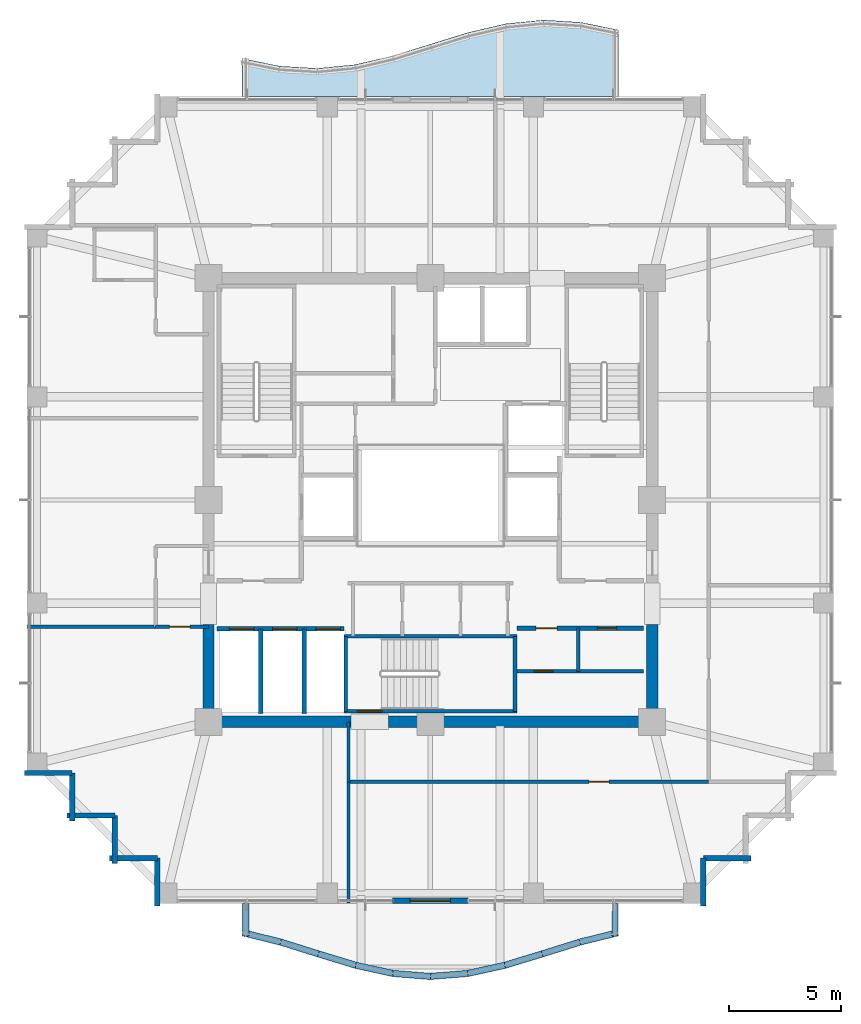
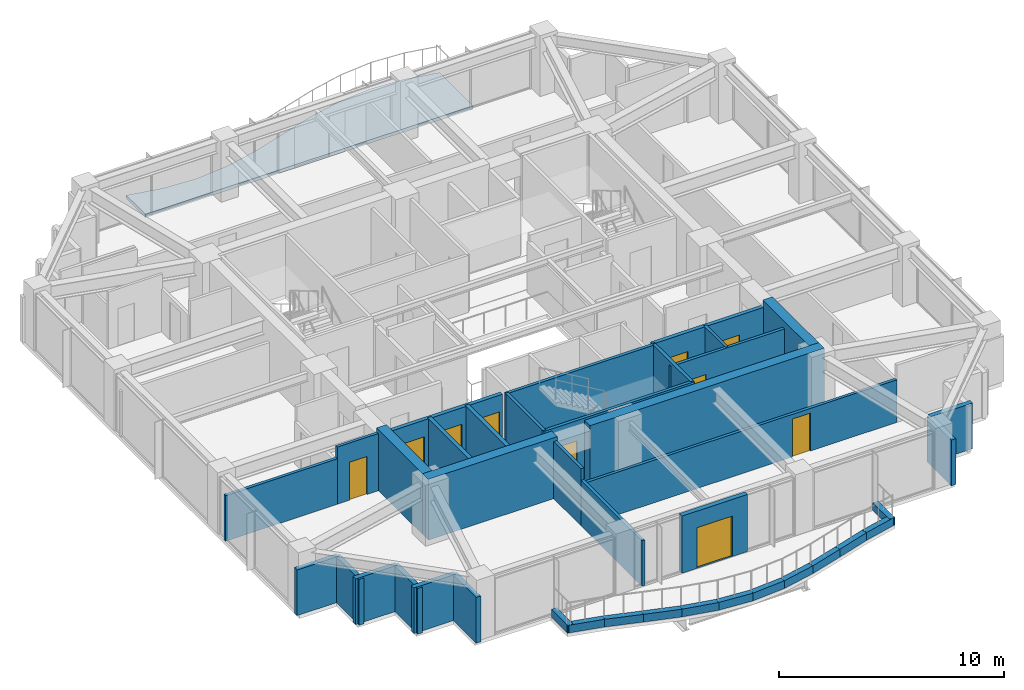
# One storey, part 26 of 31: 40 walls, 10 doors, 1 slab, 10 openings.
"""IFC4 building model written with IfcOpenShell, lengths in metres."""

from ifc_helpers import new_model, si_unit, direction, frame, frame_2d, origin, place, context, subcontext, project, spatial, polyline, rectangle, outline, extrude, material, layer, layer_set, type_object, element, fill, save


model = new_model("IFC4")

# Units and contexts
model_context = context("Model", 3, precision=1e-05, world=origin(), true_north=direction((0.0, 1.0)))
body_context = subcontext(model_context, "Body", "Model", "MODEL_VIEW")
ifc_project = project(units=[si_unit("LENGTHUNIT", "METRE"), si_unit("AREAUNIT", "SQUARE_METRE"), si_unit("VOLUMEUNIT", "CUBIC_METRE"), si_unit("PLANEANGLEUNIT", "RADIAN"), si_unit("MASSUNIT", "GRAM", prefix="KILO")], contexts=[model_context])

# Site, building, storey
site_placement = place(None, origin())
site = spatial("IfcSite", under=ifc_project, at=site_placement, CompositionType="ELEMENT")
building_placement = place(site_placement, origin())
building = spatial("IfcBuilding", under=site, at=building_placement, Name="Kolvaren Belvedere", CompositionType="ELEMENT")
storey_placement = place(building_placement, frame((0.0, 0.0, 131.60009765625)))
storey = spatial("IfcBuildingStorey", under=building, at=storey_placement, Name="L38", CompositionType="ELEMENT", Elevation=131.60009765625)

# Slab
ifc_material_1 = material(Name="Concrete C50/60", Category="concrete")
ifc_layer_1 = layer(ifc_material_1, 0.179931640625)
ifc_layer_set_1 = layer_set([ifc_layer_1], Name="Concrete C50/60")
slab_type = type_object("IfcSlabType", Name="SL-BAL-180", PredefinedType="FLOOR", material=ifc_layer_set_1)
slab_placement = place(storey_placement, frame((0.0, 0.0, -0.2001953125)))
element("IfcSlab", 1, at=slab_placement, inside=storey, type_object=slab_type, Name="L38 Planted Balcony BAL-N", PredefinedType="FLOOR", context=body_context, shape_type="SweptSolid", body=[
    extrude(outline(polyline([(-8.39990234375, 18.0), (-6.719970703125, 18.0), (-5.0400390625, 18.0), (-3.360107421875, 18.0), (-1.679931640625, 18.0), (0.0, 18.0), (1.679931640625, 18.0), (3.360107421875, 18.0), (5.0400390625, 18.0), (6.719970703125, 18.0), (8.39990234375, 18.0), (8.39990234375, 20.974853515625), (6.719970703125, 21.317138671875), (5.0400390625, 21.419921875), (3.360107421875, 21.251953125), (1.679931640625, 20.8603515625), (0.0, 20.340087890625), (-1.679931640625, 19.819580078125), (-3.360107421875, 19.427978515625), (-5.0400390625, 19.26220703125), (-6.719970703125, 19.36279296875), (-8.39990234375, 19.705078125), (-8.39990234375, 18.0)])), origin(), (0.0, 0.0, 1.0), 0.18017578125),
])

# Walls
ifc_material_2 = material(Name="Concrete C50/60", Category="concrete")
ifc_layer_2 = layer(ifc_material_2, 0.5)
ifc_layer_set_2 = layer_set([ifc_layer_2], Name="Concrete C50/60")
wall_type_1 = type_object("IfcWallType", Name="CW-CORE-500", PredefinedType="SHEAR", material=ifc_layer_set_2)
wall_1_placement = place(storey_placement, frame((10.14990234375, -9.89990234375, 0.0), z_axis=(0.0, 0.0, 1.0), x_axis=(-1.0, 0.0, 0.0)))
element("IfcWall", 2, at=wall_1_placement, inside=storey, type_object=wall_type_1, Name="L38 South Core Shear Wall 1", PredefinedType="SHEAR", context=body_context, shape_type="SweptSolid", body=[
    extrude(rectangle(XDim=12.010009765625, YDim=0.5, at=frame_2d((6.0048828125, 0.0))), origin(), (0.0, 0.0, 1.0), 3.2998046875),
])
wall_2_placement = place(storey_placement, frame((-3.5400390625, -9.89990234375, 0.0), z_axis=(0.0, 0.0, 1.0), x_axis=(-1.0, 0.0, 0.0)))
element("IfcWall", 3, at=wall_2_placement, inside=storey, type_object=wall_type_1, Name="L38 South Core Shear Wall 2", PredefinedType="SHEAR", context=body_context, shape_type="SweptSolid", body=[
    extrude(rectangle(XDim=6.60986328125, YDim=0.5, at=frame_2d((3.304931640625, 0.0))), origin(), (0.0, 0.0, 1.0), 3.2998046875),
])
for number, where, z_axis, x_axis, name in (
    (4, (-9.89990234375, -9.64990234375, 0.0), (0.0, 0.0, 1.0), (0.0, 1.0, 0.0), "L38 West Core Shear Wall 1"),
    (5, (9.89990234375, -9.64990234375, 0.0), (0.0, 0.0, 1.0), (0.0, 1.0, 0.0), "L38 East Core Shear Wall 1"),
):
    element("IfcWall", number, at=place(storey_placement, frame(where, z_axis=z_axis, x_axis=x_axis)), inside=storey, type_object=wall_type_1, Name=name, PredefinedType="SHEAR", context=body_context, shape_type="SweptSolid", body=[
        extrude(rectangle(XDim=4.099853515625, YDim=0.5, at=frame_2d((2.0498046875, 0.0))), origin(), (0.0, 0.0, 1.0), 3.2998046875),
    ])

# Wall, opening, door
ifc_material_3 = material(Name="Concrete C50/60", Category="concrete")
ifc_layer_3 = layer(ifc_material_3, 0.159912109375)
ifc_layer_set_3 = layer_set([ifc_layer_3], Name="Concrete C50/60")
wall_type_2 = type_object("IfcWallType", Name="CW-STAIR-160", PredefinedType="SHEAR", material=ifc_layer_set_3)
wall_3_placement = place(storey_placement, frame((3.860107421875, -9.429931640625, 0.0), z_axis=(0.0, 0.0, 1.0), x_axis=(-1.0, 0.0, 0.0)))
wall_3 = element("IfcWall", 6, at=wall_3_placement, inside=storey, type_object=wall_type_2, Name="L38 Stair ST-3 South Shear Wall", PredefinedType="SHEAR", context=body_context, shape_type="SweptSolid", body=[
    extrude(rectangle(XDim=7.72021484375, YDim=0.159912109375, at=frame_2d((3.860107421875, 0.0))), origin(), (0.0, 0.0, 1.0), 3.2998046875),
])
opening_1_placement = place(wall_3_placement, frame((6.010009765625, 0.0, 0.0)))
opening_1 = element("IfcOpeningElement", 7, at=opening_1_placement, cuts=wall_3, Name="Opening D-FD90", PredefinedType="OPENING", context=body_context, shape_type="SweptSolid", body=[
    extrude(rectangle(XDim=1.10009765625, YDim=2.199951171875, at=frame_2d((0.550048828125, 1.10009765625))), frame((0.0, 0.08984375, 0.0), z_axis=(0.0, -1.0, 0.0), x_axis=(1.0, 0.0, 0.0)), (0.0, 0.0, 1.0), 0.179931640625),
])
ifc_material_4 = material(Name="Painted hollow stainless steel", Category="steel")
door_type_1 = type_object("IfcDoorType", Name="DR-FD90-1100", OperationType="NOTDEFINED", PredefinedType="DOOR", material=ifc_material_4)
door_1_placement = place(opening_1_placement, origin())
door_1 = element("IfcDoor", 8, at=door_1_placement, inside=storey, type_object=door_type_1, Name="L38 Stair ST-3 Exit Door", OperationType="SINGLE_SWING_RIGHT", OverallHeight=2.199951171875, OverallWidth=1.10009765625, PredefinedType="DOOR", context=body_context, shape_type="SweptSolid", body=[
    extrude(rectangle(XDim=1.10009765625, YDim=2.199951171875, at=frame_2d((0.550048828125, 1.10009765625))), frame((0.0, 0.02490234375, 0.0), z_axis=(0.0, -1.0, 0.0), x_axis=(1.0, 0.0, 0.0)), (0.0, 0.0, 1.0), 0.050048828125),
])
fill(opening_1, door_1)

# Walls
wall_4_placement = place(storey_placement, frame((-3.860107421875, -6.080078125, 0.0), z_axis=(0.0, 0.0, 1.0), x_axis=(1.0, 0.0, 0.0)))
element("IfcWall", 9, at=wall_4_placement, inside=storey, type_object=wall_type_2, Name="L38 Stair ST-3 North Shear Wall", PredefinedType="SHEAR", context=body_context, shape_type="SweptSolid", body=[
    extrude(rectangle(XDim=7.72021484375, YDim=0.159912109375, at=frame_2d((3.860107421875, 0.0))), origin(), (0.0, 0.0, 1.0), 3.2998046875),
])
for number, where, z_axis, x_axis, name in (
    (10, (-3.780029296875, -9.429931640625, 0.0), (0.0, 0.0, 1.0), (0.0, 1.0, 0.0), "L38 Stair ST-3 West Shear Wall"),
    (11, (3.780029296875, -9.429931640625, 0.0), (0.0, 0.0, 1.0), (0.0, 1.0, 0.0), "L38 Stair ST-3 East Shear Wall"),
):
    element("IfcWall", number, at=place(storey_placement, frame(where, z_axis=z_axis, x_axis=x_axis)), inside=storey, type_object=wall_type_2, Name=name, PredefinedType="SHEAR", context=body_context, shape_type="SweptSolid", body=[
        extrude(rectangle(XDim=3.349853515625, YDim=0.159912109375, at=frame_2d((1.6748046875, 0.0))), origin(), (0.0, 0.0, 1.0), 3.2998046875),
    ])

# Wall, opening, door
ifc_material_5 = material(Name="Gypsum fire-rated partition assembly", Category="gypsum")
ifc_layer_4 = layer(ifc_material_5, 0.14990234375)
ifc_layer_set_4 = layer_set([ifc_layer_4], Name="Gypsum fire-rated partition assembly")
wall_type_3 = type_object("IfcWallType", Name="WL-CORR-150", PredefinedType="PARTITIONING", material=ifc_layer_set_4)
wall_5_placement = place(storey_placement, frame((-3.64990234375, -12.580078125, 0.0), z_axis=(0.0, 0.0, 1.0), x_axis=(1.0, 0.0, 0.0)))
wall_5 = element("IfcWall", 12, at=wall_5_placement, inside=storey, type_object=wall_type_3, Name="L38 South-East Corridor Wall", PredefinedType="PARTITIONING", context=body_context, shape_type="SweptSolid", body=[
    extrude(rectangle(XDim=16.06982421875, YDim=0.14990234375, at=frame_2d((8.034912109375, 0.0))), origin(), (0.0, 0.0, 1.0), 2.31201171875),
])
opening_2_placement = place(wall_5_placement, frame((10.735107421875, 0.0, 0.0)))
opening_2 = element("IfcOpeningElement", 13, at=opening_2_placement, cuts=wall_5, Name="Opening D-INT90", PredefinedType="OPENING", context=body_context, shape_type="SweptSolid", body=[
    extrude(rectangle(XDim=0.89990234375, YDim=2.06005859375, at=frame_2d((0.449951171875, 1.030029296875))), frame((0.0, 0.0849609375, 0.0), z_axis=(0.0, -1.0, 0.0), x_axis=(1.0, 0.0, 0.0)), (0.0, 0.0, 1.0), 0.169921875),
])
ifc_material_6 = material(Name="Stained Pacific white oak", Category="timber")
door_type_2 = type_object("IfcDoorType", Name="DR-INT-900", OperationType="NOTDEFINED", PredefinedType="DOOR", material=ifc_material_6)
door_2_placement = place(opening_2_placement, origin())
door_2 = element("IfcDoor", 14, at=door_2_placement, inside=storey, type_object=door_type_2, Name="L38 Lounge 3808 Door", OperationType="SINGLE_SWING_LEFT", OverallHeight=2.06005859375, OverallWidth=0.89990234375, PredefinedType="DOOR", context=body_context, shape_type="SweptSolid", body=[
    extrude(rectangle(XDim=0.89990234375, YDim=2.06005859375, at=frame_2d((0.449951171875, 1.030029296875))), frame((0.0, 0.02490234375, 0.0), z_axis=(0.0, -1.0, 0.0), x_axis=(1.0, 0.0, 0.0)), (0.0, 0.0, 1.0), 0.050048828125),
])
fill(opening_2, door_2)

# Wall
wall_6_placement = place(storey_placement, frame((-3.64990234375, -12.580078125, 0.0), z_axis=(0.0, 0.0, 1.0), x_axis=(0.0, 1.0, 0.0)))
element("IfcWall", 15, at=wall_6_placement, inside=storey, type_object=wall_type_3, Name="L38 South Spur West Closure Wall", PredefinedType="PARTITIONING", context=body_context, shape_type="SweptSolid", body=[
    extrude(rectangle(XDim=2.68017578125, YDim=0.14990234375, at=frame_2d((1.340087890625, 0.0))), origin(), (0.0, 0.0, 1.0), 3.099853515625),
])

# Wall, opening, door
wall_7_placement = place(storey_placement, frame((-12.260009765625, -5.64990234375, 0.0), z_axis=(0.0, 0.0, 1.0), x_axis=(1.0, 0.0, 0.0)))
wall_7 = element("IfcWall", 16, at=wall_7_placement, inside=storey, type_object=wall_type_3, Name="L38 West Pocket South Closure Wall", PredefinedType="PARTITIONING", context=body_context, shape_type="SweptSolid", body=[
    extrude(rectangle(XDim=2.360107421875, YDim=0.14990234375, at=frame_2d((1.18017578125, 0.0))), origin(), (0.0, 0.0, 1.0), 3.099853515625),
])
opening_3_placement = place(wall_7_placement, frame((0.631591796875, 0.0, 0.0)))
opening_3 = element("IfcOpeningElement", 17, at=opening_3_placement, cuts=wall_7, Name="Opening D-INT90", PredefinedType="OPENING", context=body_context, shape_type="SweptSolid", body=[
    extrude(rectangle(XDim=0.89990234375, YDim=2.06005859375, at=frame_2d((0.449951171875, 1.030029296875))), frame((0.0, 0.0849609375, 0.0), z_axis=(0.0, -1.0, 0.0), x_axis=(1.0, 0.0, 0.0)), (0.0, 0.0, 1.0), 0.169921875),
])
door_3_placement = place(opening_3_placement, origin())
door_3 = element("IfcDoor", 18, at=door_3_placement, inside=storey, type_object=door_type_2, Name="L38 Lounge 3807 Door", OperationType="SINGLE_SWING_RIGHT", OverallHeight=2.06005859375, OverallWidth=0.89990234375, PredefinedType="DOOR", context=body_context, shape_type="SweptSolid", body=[
    extrude(rectangle(XDim=0.89990234375, YDim=2.06005859375, at=frame_2d((0.449951171875, 1.030029296875))), frame((0.0, 0.02490234375, 0.0), z_axis=(0.0, -1.0, 0.0), x_axis=(1.0, 0.0, 0.0)), (0.0, 0.0, 1.0), 0.050048828125),
])
fill(opening_3, door_3)

ifc_material_7 = material(Name="Insulated pale-metal facade wall assembly", Category="aluminium")
ifc_layer_5 = layer(ifc_material_7, 0.239990234375)
ifc_layer_set_5 = layer_set([ifc_layer_5], Name="Insulated pale-metal facade wall assembly")
wall_type_4 = type_object("IfcWallType", Name="WL-EXT-240", PredefinedType="STANDARD", material=ifc_layer_set_5)
wall_8_placement = place(storey_placement, frame((1.679931640625, -17.8798828125, 0.0), z_axis=(0.0, 0.0, 1.0), x_axis=(-1.0, 0.0, 0.0)))
wall_8 = element("IfcWall", 19, at=wall_8_placement, inside=storey, type_object=wall_type_4, Name="L38 South Terrace Portal Wall", PredefinedType="STANDARD", context=body_context, shape_type="SweptSolid", body=[
    extrude(rectangle(XDim=3.35986328125, YDim=0.239990234375, at=frame_2d((1.679931640625, 0.0))), origin(), (0.0, 0.0, 1.0), 3.099853515625),
])
opening_4_placement = place(wall_8_placement, frame((0.780029296875, 0.0, 0.0)))
opening_4 = element("IfcOpeningElement", 20, at=opening_4_placement, cuts=wall_8, Name="Opening DB-1800", PredefinedType="OPENING", context=body_context, shape_type="SweptSolid", body=[
    extrude(rectangle(XDim=1.800048828125, YDim=2.199951171875, at=frame_2d((0.89990234375, 1.10009765625))), frame((0.0, 0.1298828125, 0.0), z_axis=(0.0, -1.0, 0.0), x_axis=(1.0, 0.0, 0.0)), (0.0, 0.0, 1.0), 0.260009765625),
])
ifc_material_8 = material(Name="Thermally broken pale-metal aluminium & low-iron glass", Category="aluminium")
door_type_3 = type_object("IfcDoorType", Name="DR-BAL-1800", OperationType="DOUBLE_DOOR_SLIDING", PredefinedType="DOOR", material=ifc_material_8)
door_4_placement = place(opening_4_placement, origin())
door_4 = element("IfcDoor", 21, at=door_4_placement, inside=storey, type_object=door_type_3, Name="L38 South Planted Terrace Sliding Door", OperationType="DOUBLE_DOOR_SLIDING", OverallHeight=2.199951171875, OverallWidth=1.800048828125, PredefinedType="DOOR", context=body_context, shape_type="SweptSolid", body=[
    extrude(rectangle(XDim=1.800048828125, YDim=2.199951171875, at=frame_2d((0.89990234375, 1.10009765625))), frame((0.0, 0.02490234375, 0.0), z_axis=(0.0, -1.0, 0.0), x_axis=(1.0, 0.0, 0.0)), (0.0, 0.0, 1.0), 0.050048828125),
])
fill(opening_4, door_4)

# Walls
for number, where, z_axis, x_axis, name in (
    (22, (12.179931640625, -15.97998046875, 0.0), (0.0, 0.0, 1.0), (0.0, -1.0, 0.0), "L38 Serrated Corner Facade Wall 2"),
    (23, (14.320068359375, -15.97998046875, 0.0), (0.0, 0.0, 1.0), (-1.0, 0.0, 0.0), "L38 Serrated Corner Facade Wall 3"),
    (24, (-15.97998046875, -12.179931640625, 0.0), (0.0, 0.0, 1.0), (-1.0, 0.0, 0.0), "L38 Serrated Corner Facade Wall 23"),
    (25, (-15.97998046875, -14.320068359375, 0.0), (0.0, 0.0, 1.0), (0.0, 1.0, 0.0), "L38 Serrated Corner Facade Wall 24"),
):
    element("IfcWall", number, at=place(storey_placement, frame(where, z_axis=z_axis, x_axis=x_axis)), inside=storey, type_object=wall_type_4, Name=name, PredefinedType="STANDARD", context=body_context, shape_type="SweptSolid", body=[
        extrude(rectangle(XDim=2.14013671875, YDim=0.239990234375, at=frame_2d((1.070068359375, 0.0))), origin(), (0.0, 0.0, 1.0), 2.47900390625),
    ])
for number, where, z_axis, x_axis, name in (
    (26, (-14.080078125, -14.080078125, 0.0), (0.0, 0.0, 1.0), (-1.0, 0.0, 0.0), "L38 Serrated Corner Facade Wall 25"),
    (27, (-14.080078125, -16.219970703125, 0.0), (0.0, 0.0, 1.0), (0.0, 1.0, 0.0), "L38 Serrated Corner Facade Wall 26"),
):
    element("IfcWall", number, at=place(storey_placement, frame(where, z_axis=z_axis, x_axis=x_axis)), inside=storey, type_object=wall_type_4, Name=name, PredefinedType="STANDARD", context=body_context, shape_type="SweptSolid", body=[
        extrude(rectangle(XDim=2.139892578125, YDim=0.239990234375, at=frame_2d((1.06982421875, 0.0))), origin(), (0.0, 0.0, 1.0), 2.47900390625),
    ])
for number, where, z_axis, x_axis, name in (
    (28, (-12.179931640625, -15.97998046875, 0.0), (0.0, 0.0, 1.0), (-1.0, 0.0, 0.0), "L38 Serrated Corner Facade Wall 27"),
    (29, (-12.179931640625, -18.1201171875, 0.0), (0.0, 0.0, 1.0), (0.0, 1.0, 0.0), "L38 Serrated Corner Facade Wall 28"),
):
    element("IfcWall", number, at=place(storey_placement, frame(where, z_axis=z_axis, x_axis=x_axis)), inside=storey, type_object=wall_type_4, Name=name, PredefinedType="STANDARD", context=body_context, shape_type="SweptSolid", body=[
        extrude(rectangle(XDim=2.14013671875, YDim=0.239990234375, at=frame_2d((1.070068359375, 0.0))), origin(), (0.0, 0.0, 1.0), 2.47900390625),
    ])

# Wall, opening, door
ifc_material_9 = material(Name="Gypsum acoustic partition assembly", Category="gypsum")
ifc_layer_6 = layer(ifc_material_9, 0.14990234375)
ifc_layer_set_6 = layer_set([ifc_layer_6], Name="Gypsum acoustic partition assembly")
wall_type_5 = type_object("IfcWallType", Name="WL-PART-150", PredefinedType="PARTITIONING", material=ifc_layer_set_6)
wall_9_placement = place(storey_placement, frame((3.679931640625, -7.64990234375, 0.0), z_axis=(0.0, 0.0, 1.0), x_axis=(1.0, 0.0, 0.0)))
wall_9 = element("IfcWall", 30, at=wall_9_placement, inside=storey, type_object=wall_type_5, Name="L38 SE Core H-Divider", PredefinedType="PARTITIONING", context=body_context, shape_type="SweptSolid", body=[
    extrude(rectangle(XDim=5.840087890625, YDim=0.14990234375, at=frame_2d((2.919921875, 0.0))), origin(), (0.0, 0.0, 1.0), 3.099853515625),
])
opening_5_placement = place(wall_9_placement, frame((0.949951171875, 0.0, 0.0)))
opening_5 = element("IfcOpeningElement", 31, at=opening_5_placement, cuts=wall_9, Name="Opening D-INT85", PredefinedType="OPENING", context=body_context, shape_type="SweptSolid", body=[
    extrude(rectangle(XDim=0.85009765625, YDim=2.030029296875, at=frame_2d((0.425048828125, 1.01513671875))), frame((0.0, 0.0849609375, 0.0), z_axis=(0.0, -1.0, 0.0), x_axis=(1.0, 0.0, 0.0)), (0.0, 0.0, 1.0), 0.169921875),
])
ifc_material_10 = material(Name="Stained Pacific white oak", Category="timber")
door_type_4 = type_object("IfcDoorType", Name="DR-INT-850", OperationType="NOTDEFINED", PredefinedType="DOOR", material=ifc_material_10)
door_5_placement = place(opening_5_placement, origin())
door_5 = element("IfcDoor", 32, at=door_5_placement, inside=storey, type_object=door_type_4, Name="L38 SE Fibre Door", OperationType="SINGLE_SWING_RIGHT", OverallHeight=2.030029296875, OverallWidth=0.85009765625, PredefinedType="DOOR", context=body_context, shape_type="SweptSolid", body=[
    extrude(rectangle(XDim=0.85009765625, YDim=2.030029296875, at=frame_2d((0.425048828125, 1.01513671875))), frame((0.0, 0.02490234375, 0.0), z_axis=(0.0, -1.0, 0.0), x_axis=(1.0, 0.0, 0.0)), (0.0, 0.0, 1.0), 0.050048828125),
])
fill(opening_5, door_5)

# Walls
wall_10_placement = place(storey_placement, frame((6.60009765625, -7.64990234375, 0.0), z_axis=(0.0, 0.0, 1.0), x_axis=(0.0, 1.0, 0.0)))
element("IfcWall", 33, at=wall_10_placement, inside=storey, type_object=wall_type_5, Name="L38 SE Core V-Divider", PredefinedType="PARTITIONING", context=body_context, shape_type="SweptSolid", body=[
    extrude(rectangle(XDim=1.929931640625, YDim=0.14990234375, at=frame_2d((0.96484375, 0.0))), origin(), (0.0, 0.0, 1.0), 3.099853515625),
])
wall_11_placement = place(storey_placement, frame((-17.97998046875, -5.64990234375, 0.0), z_axis=(0.0, 0.0, 1.0), x_axis=(1.0, 0.0, 0.0)))
element("IfcWall", 34, at=wall_11_placement, inside=storey, type_object=wall_type_5, Name="L38 West Mid Suite South Wall", PredefinedType="PARTITIONING", context=body_context, shape_type="SweptSolid", body=[
    extrude(rectangle(XDim=5.719970703125, YDim=0.14990234375, at=frame_2d((2.85986328125, 0.0))), origin(), (0.0, 0.0, 1.0), 2.468994140625),
])
wall_12_placement = place(storey_placement, frame((-3.64990234375, -17.97998046875, 0.0), z_axis=(0.0, 0.0, 1.0), x_axis=(0.0, 1.0, 0.0)))
element("IfcWall", 35, at=wall_12_placement, inside=storey, type_object=wall_type_5, Name="L38 South Mid-West Wall", PredefinedType="PARTITIONING", context=body_context, shape_type="SweptSolid", body=[
    extrude(rectangle(XDim=5.39990234375, YDim=0.14990234375, at=frame_2d((2.699951171875, 0.0))), origin(), (0.0, 0.0, 1.0), 2.468994140625),
])
ifc_material_11 = material(Name="Precast concrete C40/50", Category="concrete")
ifc_layer_7 = layer(ifc_material_11, 0.300048828125)
ifc_layer_set_7 = layer_set([ifc_layer_7], Name="Precast concrete C40/50")
wall_type_6 = type_object("IfcWallType", Name="WL-PLANTER-300", PredefinedType="PARAPET", material=ifc_layer_set_7)
wall_13_placement = place(storey_placement, frame((-8.36181640625, -19.310791015625, -0.02001953125), z_axis=(0.0, 0.0, 1.0), x_axis=(0.970950361768, -0.239280995867, 0.0)))
element("IfcWall", 36, at=wall_13_placement, inside=storey, type_object=wall_type_6, Name="L38 Precast Structural Planter Wall BAL-S-1", PredefinedType="PARAPET", context=body_context, shape_type="SweptSolid", body=[
    extrude(rectangle(XDim=1.73046875, YDim=0.280029296875, at=frame_2d((0.865234375, 0.0))), origin(), (0.0, 0.0, 1.0), 0.419921875),
])
wall_14_placement = place(storey_placement, frame((-6.672119140625, -19.7275390625, -0.02001953125), z_axis=(0.0, 0.0, 1.0), x_axis=(0.954057149461, -0.299624691176, 0.0)))
element("IfcWall", 37, at=wall_14_placement, inside=storey, type_object=wall_type_6, Name="L38 Precast Structural Planter Wall BAL-S-2", PredefinedType="PARAPET", context=body_context, shape_type="SweptSolid", body=[
    extrude(rectangle(XDim=1.7607421875, YDim=0.280029296875, at=frame_2d((0.88037109375, 0.0))), origin(), (0.0, 0.0, 1.0), 0.419921875),
])
wall_15_placement = place(storey_placement, frame((-4.993408203125, -20.254638671875, -0.02001953125), z_axis=(0.0, 0.0, 1.0), x_axis=(0.956721015747, -0.291006697567, 0.0)))
element("IfcWall", 38, at=wall_15_placement, inside=storey, type_object=wall_type_6, Name="L38 Precast Structural Planter Wall BAL-S-3", PredefinedType="PARAPET", context=body_context, shape_type="SweptSolid", body=[
    extrude(rectangle(XDim=1.755859375, YDim=0.280029296875, at=frame_2d((0.8779296875, 0.0))), origin(), (0.0, 0.0, 1.0), 0.419921875),
])
wall_16_placement = place(storey_placement, frame((-3.32568359375, -20.762451171875, -0.02001953125), z_axis=(0.0, 0.0, 1.0), x_axis=(0.976876857632, -0.213802724545, 0.0)))
element("IfcWall", 39, at=wall_16_placement, inside=storey, type_object=wall_type_6, Name="L38 Precast Structural Planter Wall BAL-S-4", PredefinedType="PARAPET", context=body_context, shape_type="SweptSolid", body=[
    extrude(rectangle(XDim=1.7197265625, YDim=0.280029296875, at=frame_2d((0.85986328125, 0.0))), origin(), (0.0, 0.0, 1.0), 0.419921875),
])
for number, where, z_axis, x_axis, name in (
    (40, (-1.667236328125, -21.126953125, -0.02001953125), (0.0, 0.0, 1.0), (0.99685522818, -0.079244268248, 0.0), "L38 Precast Structural Planter Wall BAL-S-5"),
    (41, (-0.0126953125, -21.260498046875, -0.02001953125), (0.0, 0.0, 1.0), (0.99685522818, 0.079244268248, 0.0), "L38 Precast Structural Planter Wall BAL-S-6"),
):
    element("IfcWall", number, at=place(storey_placement, frame(where, z_axis=z_axis, x_axis=x_axis)), inside=storey, type_object=wall_type_6, Name=name, PredefinedType="PARAPET", context=body_context, shape_type="SweptSolid", body=[
        extrude(rectangle(XDim=1.685302734375, YDim=0.280029296875, at=frame_2d((0.8427734375, 0.0))), origin(), (0.0, 0.0, 1.0), 0.419921875),
    ])
wall_17_placement = place(storey_placement, frame((1.645751953125, -21.130126953125, -0.02001953125), z_axis=(0.0, 0.0, 1.0), x_axis=(0.976876857632, 0.213802724545, 0.0)))
element("IfcWall", 42, at=wall_17_placement, inside=storey, type_object=wall_type_6, Name="L38 Precast Structural Planter Wall BAL-S-7", PredefinedType="PARAPET", context=body_context, shape_type="SweptSolid", body=[
    extrude(rectangle(XDim=1.7197265625, YDim=0.280029296875, at=frame_2d((0.85986328125, 0.0))), origin(), (0.0, 0.0, 1.0), 0.419921875),
])
wall_18_placement = place(storey_placement, frame((3.3134765625, -20.765625, -0.02001953125), z_axis=(0.0, 0.0, 1.0), x_axis=(0.956721015747, 0.291006697567, 0.0)))
element("IfcWall", 43, at=wall_18_placement, inside=storey, type_object=wall_type_6, Name="L38 Precast Structural Planter Wall BAL-S-8", PredefinedType="PARAPET", context=body_context, shape_type="SweptSolid", body=[
    extrude(rectangle(XDim=1.755859375, YDim=0.280029296875, at=frame_2d((0.8779296875, 0.0))), origin(), (0.0, 0.0, 1.0), 0.419921875),
])
wall_19_placement = place(storey_placement, frame((4.9921875, -20.255126953125, -0.02001953125), z_axis=(0.0, 0.0, 1.0), x_axis=(0.954057149461, 0.299624691176, 0.0)))
element("IfcWall", 44, at=wall_19_placement, inside=storey, type_object=wall_type_6, Name="L38 Precast Structural Planter Wall BAL-S-9", PredefinedType="PARAPET", context=body_context, shape_type="SweptSolid", body=[
    extrude(rectangle(XDim=1.7607421875, YDim=0.280029296875, at=frame_2d((0.88037109375, 0.0))), origin(), (0.0, 0.0, 1.0), 0.419921875),
])
wall_20_placement = place(storey_placement, frame((6.681640625, -19.724853515625, -0.02001953125), z_axis=(0.0, 0.0, 1.0), x_axis=(0.970950361768, 0.239280995867, 0.0)))
element("IfcWall", 45, at=wall_20_placement, inside=storey, type_object=wall_type_6, Name="L38 Precast Structural Planter Wall BAL-S-10", PredefinedType="PARAPET", context=body_context, shape_type="SweptSolid", body=[
    extrude(rectangle(XDim=1.73046875, YDim=0.280029296875, at=frame_2d((0.865234375, 0.0))), origin(), (0.0, 0.0, 1.0), 0.419921875),
])
for number, where, z_axis, x_axis, name in (
    (46, (8.239990234375, -19.46630859375, -0.02001953125), (0.0, 0.0, 1.0), (0.0, 1.0, 0.0), "L38 Precast Structural Planter Wall BAL-S-11"),
    (47, (-8.239990234375, -18.0, -0.02001953125), (0.0, 0.0, 1.0), (0.0, -1.0, 0.0), "L38 Precast Structural Planter Wall BAL-S-22"),
):
    element("IfcWall", number, at=place(storey_placement, frame(where, z_axis=z_axis, x_axis=x_axis)), inside=storey, type_object=wall_type_6, Name=name, PredefinedType="PARAPET", context=body_context, shape_type="SweptSolid", body=[
        extrude(rectangle(XDim=1.46630859375, YDim=0.280029296875, at=frame_2d((0.733154296875, 0.0))), origin(), (0.0, 0.0, 1.0), 0.419921875),
    ])

# Wall, openings, doors
ifc_material_12 = material(Name="Concrete C50/60", Category="concrete")
ifc_layer_8 = layer(ifc_material_12, 0.199951171875)
ifc_layer_set_8 = layer_set([ifc_layer_8], Name="Concrete C50/60")
wall_type_7 = type_object("IfcWallType", Name="WL-SHAFT-200", PredefinedType="SOLIDWALL", material=ifc_layer_set_8)
wall_21_placement = place(storey_placement, frame((-9.52001953125, -5.75, 0.0), z_axis=(0.0, 0.0, 1.0), x_axis=(1.0, 0.0, 0.0)))
wall_21 = element("IfcWall", 48, at=wall_21_placement, inside=storey, type_object=wall_type_7, Name="L38 Mid-Rise Lift Bank Front Wall", PredefinedType="SOLIDWALL", context=body_context, shape_type="SweptSolid", body=[
    extrude(rectangle(XDim=5.659912109375, YDim=0.199951171875, at=frame_2d((2.830078125, 0.0))), origin(), (0.0, 0.0, 1.0), 3.099853515625),
])
opening_6_placement = place(wall_21_placement, frame((0.550048828125, 0.0, 0.0)))
opening_6 = element("IfcOpeningElement", 49, at=opening_6_placement, cuts=wall_21, Name="Opening LD-11", PredefinedType="OPENING", context=body_context, shape_type="SweptSolid", body=[
    extrude(rectangle(XDim=1.10009765625, YDim=2.199951171875, at=frame_2d((0.550048828125, 1.10009765625))), frame((0.0, 0.10986328125, 0.0), z_axis=(0.0, -1.0, 0.0), x_axis=(1.0, 0.0, 0.0)), (0.0, 0.0, 1.0), 0.219970703125),
])
opening_7_placement = place(wall_21_placement, frame((2.47998046875, 0.0, 0.0)))
opening_7 = element("IfcOpeningElement", 50, at=opening_7_placement, cuts=wall_21, Name="Opening LD-11", PredefinedType="OPENING", context=body_context, shape_type="SweptSolid", body=[
    extrude(rectangle(XDim=1.10009765625, YDim=2.199951171875, at=frame_2d((0.550048828125, 1.10009765625))), frame((0.0, 0.10986328125, 0.0), z_axis=(0.0, -1.0, 0.0), x_axis=(1.0, 0.0, 0.0)), (0.0, 0.0, 1.0), 0.219970703125),
])
opening_8_placement = place(wall_21_placement, frame((4.409912109375, 0.0, 0.0)))
opening_8 = element("IfcOpeningElement", 51, at=opening_8_placement, cuts=wall_21, Name="Opening LD-11", PredefinedType="OPENING", context=body_context, shape_type="SweptSolid", body=[
    extrude(rectangle(XDim=1.10009765625, YDim=2.199951171875, at=frame_2d((0.550048828125, 1.10009765625))), frame((0.0, 0.10986328125, 0.0), z_axis=(0.0, -1.0, 0.0), x_axis=(1.0, 0.0, 0.0)), (0.0, 0.0, 1.0), 0.219970703125),
])
ifc_material_13 = material(Name="Brushed stainless steel", Category="steel")
door_type_5 = type_object("IfcDoorType", Name="DR-LIFT-1100", OperationType="DOUBLE_DOOR_SLIDING", PredefinedType="DOOR", material=ifc_material_13)
door_6_placement = place(opening_6_placement, origin())
door_6 = element("IfcDoor", 52, at=door_6_placement, inside=storey, type_object=door_type_5, Name="L38 Passenger Lift P4 Landing Door", OperationType="DOUBLE_DOOR_SLIDING", OverallHeight=2.199951171875, OverallWidth=1.10009765625, PredefinedType="DOOR", context=body_context, shape_type="SweptSolid", body=[
    extrude(rectangle(XDim=1.10009765625, YDim=2.199951171875, at=frame_2d((0.550048828125, 1.10009765625))), frame((0.0, 0.02490234375, 0.0), z_axis=(0.0, -1.0, 0.0), x_axis=(1.0, 0.0, 0.0)), (0.0, 0.0, 1.0), 0.050048828125),
])
fill(opening_6, door_6)
door_7_placement = place(opening_7_placement, origin())
door_7 = element("IfcDoor", 53, at=door_7_placement, inside=storey, type_object=door_type_5, Name="L38 Passenger Lift P5 Landing Door", OperationType="DOUBLE_DOOR_SLIDING", OverallHeight=2.199951171875, OverallWidth=1.10009765625, PredefinedType="DOOR", context=body_context, shape_type="SweptSolid", body=[
    extrude(rectangle(XDim=1.10009765625, YDim=2.199951171875, at=frame_2d((0.550048828125, 1.10009765625))), frame((0.0, 0.02490234375, 0.0), z_axis=(0.0, -1.0, 0.0), x_axis=(1.0, 0.0, 0.0)), (0.0, 0.0, 1.0), 0.050048828125),
])
fill(opening_7, door_7)
door_8_placement = place(opening_8_placement, origin())
door_8 = element("IfcDoor", 54, at=door_8_placement, inside=storey, type_object=door_type_5, Name="L38 Passenger Lift P6 Landing Door", OperationType="DOUBLE_DOOR_SLIDING", OverallHeight=2.199951171875, OverallWidth=1.10009765625, PredefinedType="DOOR", context=body_context, shape_type="SweptSolid", body=[
    extrude(rectangle(XDim=1.10009765625, YDim=2.199951171875, at=frame_2d((0.550048828125, 1.10009765625))), frame((0.0, 0.02490234375, 0.0), z_axis=(0.0, -1.0, 0.0), x_axis=(1.0, 0.0, 0.0)), (0.0, 0.0, 1.0), 0.050048828125),
])
fill(opening_8, door_8)

# Walls
for number, where, z_axis, x_axis, name in (
    (55, (-7.56005859375, -9.52001953125, 0.0), (0.0, 0.0, 1.0), (0.0, 1.0, 0.0), "L38 Mid-Rise Hoistway Divider 1"),
    (56, (-5.6298828125, -9.52001953125, 0.0), (0.0, 0.0, 1.0), (0.0, 1.0, 0.0), "L38 Mid-Rise Hoistway Divider 2"),
):
    element("IfcWall", number, at=place(storey_placement, frame(where, z_axis=z_axis, x_axis=x_axis)), inside=storey, type_object=wall_type_7, Name=name, PredefinedType="SOLIDWALL", context=body_context, shape_type="SweptSolid", body=[
        extrude(rectangle(XDim=3.77001953125, YDim=0.199951171875, at=frame_2d((1.885009765625, 0.0))), origin(), (0.0, 0.0, 1.0), 3.099853515625),
    ])

# Wall, openings, doors
wall_22_placement = place(storey_placement, frame((3.860107421875, -5.719970703125, 0.0), z_axis=(0.0, 0.0, 1.0), x_axis=(1.0, 0.0, 0.0)))
wall_22 = element("IfcWall", 57, at=wall_22_placement, inside=storey, type_object=wall_type_7, Name="L38 SE Core Distribution Wall", PredefinedType="SOLIDWALL", context=body_context, shape_type="SweptSolid", body=[
    extrude(rectangle(XDim=5.659912109375, YDim=0.199951171875, at=frame_2d((2.830078125, 0.0))), origin(), (0.0, 0.0, 1.0), 3.099853515625),
])
opening_9_placement = place(wall_22_placement, frame((0.85009765625, 0.0, 0.0)))
opening_9 = element("IfcOpeningElement", 58, at=opening_9_placement, cuts=wall_22, Name="Opening D-FD60", PredefinedType="OPENING", context=body_context, shape_type="SweptSolid", body=[
    extrude(rectangle(XDim=0.949951171875, YDim=2.06005859375, at=frame_2d((0.47509765625, 1.030029296875))), frame((0.0, 0.10986328125, 0.0), z_axis=(0.0, -1.0, 0.0), x_axis=(1.0, 0.0, 0.0)), (0.0, 0.0, 1.0), 0.219970703125),
])
opening_10_placement = place(wall_22_placement, frame((3.60009765625, 0.0, 0.0)))
opening_10 = element("IfcOpeningElement", 59, at=opening_10_placement, cuts=wall_22, Name="Opening D-INT85", PredefinedType="OPENING", context=body_context, shape_type="SweptSolid", body=[
    extrude(rectangle(XDim=0.85009765625, YDim=2.030029296875, at=frame_2d((0.425048828125, 1.01513671875))), frame((0.0, 0.10986328125, 0.0), z_axis=(0.0, -1.0, 0.0), x_axis=(1.0, 0.0, 0.0)), (0.0, 0.0, 1.0), 0.219970703125),
])
ifc_material_14 = material(Name="Acoustic white-oak fire door leaf", Category="timber")
door_type_6 = type_object("IfcDoorType", Name="DR-FD60-950", OperationType="NOTDEFINED", PredefinedType="DOOR", material=ifc_material_14)
door_9_placement = place(opening_9_placement, origin())
door_9 = element("IfcDoor", 60, at=door_9_placement, inside=storey, type_object=door_type_6, Name="L38 SE Pantry Door", OperationType="SINGLE_SWING_RIGHT", OverallHeight=2.06005859375, OverallWidth=0.949951171875, PredefinedType="DOOR", context=body_context, shape_type="SweptSolid", body=[
    extrude(rectangle(XDim=0.949951171875, YDim=2.06005859375, at=frame_2d((0.47509765625, 1.030029296875))), frame((0.0, 0.02490234375, 0.0), z_axis=(0.0, -1.0, 0.0), x_axis=(1.0, 0.0, 0.0)), (0.0, 0.0, 1.0), 0.050048828125),
])
fill(opening_9, door_9)
door_10_placement = place(opening_10_placement, origin())
door_10 = element("IfcDoor", 61, at=door_10_placement, inside=storey, type_object=door_type_4, Name="L38 SE Linen Door", OperationType="SINGLE_SWING_LEFT", OverallHeight=2.030029296875, OverallWidth=0.85009765625, PredefinedType="DOOR", context=body_context, shape_type="SweptSolid", body=[
    extrude(rectangle(XDim=0.85009765625, YDim=2.030029296875, at=frame_2d((0.425048828125, 1.01513671875))), frame((0.0, 0.02490234375, 0.0), z_axis=(0.0, -1.0, 0.0), x_axis=(1.0, 0.0, 0.0)), (0.0, 0.0, 1.0), 0.050048828125),
])
fill(opening_10, door_10)

save(model, "model.ifc")
